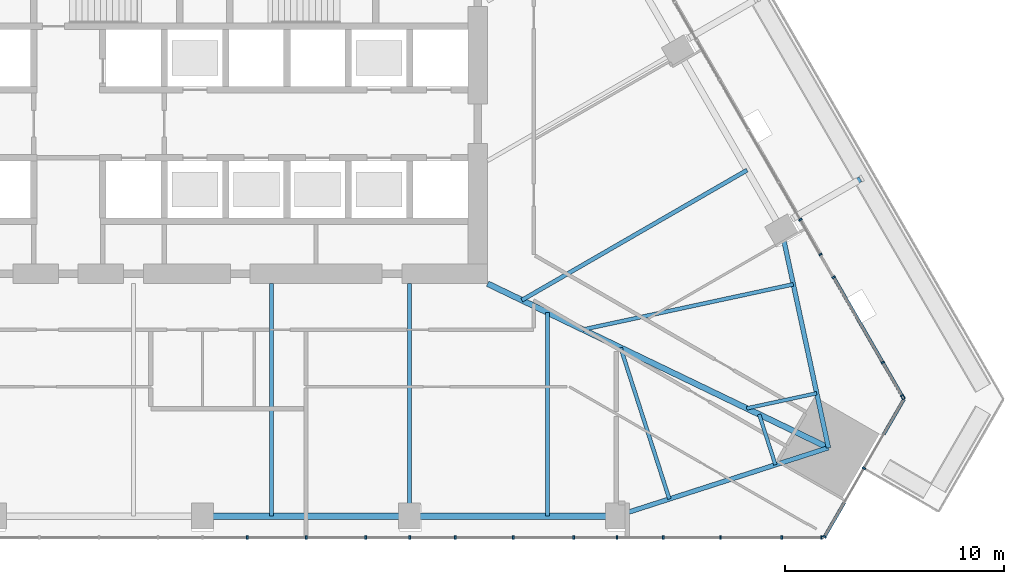
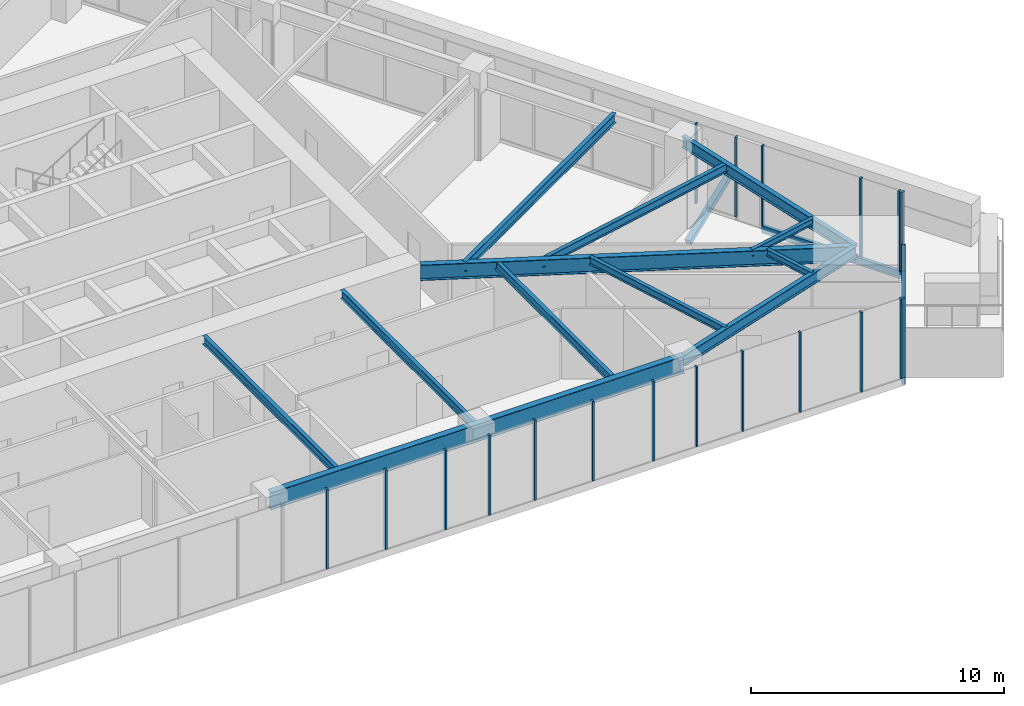
# One storey, part 6 of 29: 24 members, 12 beams, 3 elements without a shape of their own.
"""IFC4 building model written with IfcOpenShell, lengths in metres."""

from ifc_helpers import new_model, si_unit, direction, frame, origin, origin_2d, place, context, subcontext, project, spatial, rectangle, hollow_rectangle, i_section, extrude, material, layer, layer_set, material_profile, profile_set, type_object, element, aggregate, save


model = new_model("IFC4")

# Units and contexts
model_context = context("Model", 3, precision=1e-05, world=origin(), true_north=direction((0.0, 1.0)))
body_context = subcontext(model_context, "Body", "Model", "MODEL_VIEW")
ifc_project = project(units=[si_unit("LENGTHUNIT", "METRE"), si_unit("AREAUNIT", "SQUARE_METRE"), si_unit("VOLUMEUNIT", "CUBIC_METRE"), si_unit("PLANEANGLEUNIT", "RADIAN"), si_unit("MASSUNIT", "GRAM", prefix="KILO")], contexts=[model_context])

# Site, building, storey
site_placement = place(None, origin())
site = spatial("IfcSite", under=ifc_project, at=site_placement, CompositionType="ELEMENT")
building_placement = place(site_placement, origin())
building = spatial("IfcBuilding", under=site, at=building_placement, Name="Firuza Gate Tower and Library", CompositionType="ELEMENT")
storey_placement = place(building_placement, frame((0.0, 0.0, 82.0)))
storey = spatial("IfcBuildingStorey", under=building, at=storey_placement, Name="L18", CompositionType="ELEMENT", Elevation=82.0)

# Curtain wall, members
ifc_material_1 = material(Name="Aluminium 6063-T6", Category="aluminium")
ifc_layer_1 = layer(ifc_material_1, 0.14990234375)
ifc_layer_set_1 = layer_set([ifc_layer_1], Name="Unitised curtain wall, offices")
curtain_wall_type_1 = type_object("IfcCurtainWallType", Name="Unitised curtain wall, offices", PredefinedType="NOTDEFINED", material=ifc_layer_set_1)
placement = place(storey_placement, origin())
curtain_wall_1 = element("IfcCurtainWall", 1, at=placement, inside=storey, type_object=curtain_wall_type_1, Name="CW1 L18 S face", PredefinedType="NOTDEFINED")
ifc_material_2 = material(Name="Aluminium 6063-T6", Category="aluminium")
ifc_material_profile_1 = material_profile(ifc_material_2, rectangle(XDim=0.14990234375, YDim=0.080078125, at=origin_2d()))
ifc_profile_set_1 = profile_set([ifc_material_profile_1], Name="Aluminium 6063-T6")
member_type_1 = type_object("IfcMemberType", Name="Curtain wall mullion 80x150", PredefinedType="MULLION", material=ifc_profile_set_1)
member_1_placement = place(storey_placement, frame((79.725341796875, 54.42431640625, 0.14990234375), z_axis=(0.0, 0.0, 1.0), x_axis=(0.0, 1.0, 0.0)))
member_1 = element("IfcMember", 2, at=member_1_placement, type_object=member_type_1, Name="Mullion", PredefinedType="MULLION", context=body_context, shape_type="SweptSolid", body=[
    extrude(rectangle(XDim=0.14990234375, YDim=0.080078125, at=origin_2d()), origin(), (0.0, 0.0, 1.0), 3.85009765625),
])
member_2_placement = place(storey_placement, frame((84.45068359375, 54.42431640625, 0.14990234375), z_axis=(0.0, 0.0, 1.0), x_axis=(0.0, 1.0, 0.0)))
member_2 = element("IfcMember", 3, at=member_2_placement, type_object=member_type_1, Name="Mullion", PredefinedType="MULLION", context=body_context, shape_type="SweptSolid", body=[
    extrude(rectangle(XDim=0.14990234375, YDim=0.080078125, at=origin_2d()), origin(), (0.0, 0.0, 1.0), 3.85009765625),
])
member_3_placement = place(storey_placement, frame((89.17578125, 54.42431640625, 0.14990234375), z_axis=(0.0, 0.0, 1.0), x_axis=(0.0, 1.0, 0.0)))
member_3 = element("IfcMember", 4, at=member_3_placement, type_object=member_type_1, Name="Mullion", PredefinedType="MULLION", context=body_context, shape_type="SweptSolid", body=[
    extrude(rectangle(XDim=0.14990234375, YDim=0.080078125, at=origin_2d()), origin(), (0.0, 0.0, 1.0), 3.85009765625),
])
member_4_placement = place(storey_placement, frame((93.901123046875, 54.42431640625, 0.14990234375), z_axis=(0.0, 0.0, 1.0), x_axis=(0.0, 1.0, 0.0)))
member_4 = element("IfcMember", 5, at=member_4_placement, type_object=member_type_1, Name="Mullion", PredefinedType="MULLION", context=body_context, shape_type="SweptSolid", body=[
    extrude(rectangle(XDim=0.14990234375, YDim=0.080078125, at=origin_2d()), origin(), (0.0, 0.0, 1.0), 3.85009765625),
])
member_5_placement = place(storey_placement, frame((98.62646484375, 54.42431640625, 0.14990234375), z_axis=(0.0, 0.0, 1.0), x_axis=(0.0, 1.0, 0.0)))
member_5 = element("IfcMember", 6, at=member_5_placement, type_object=member_type_1, Name="Mullion", PredefinedType="MULLION", context=body_context, shape_type="SweptSolid", body=[
    extrude(rectangle(XDim=0.14990234375, YDim=0.080078125, at=origin_2d()), origin(), (0.0, 0.0, 1.0), 3.85009765625),
])
member_6_placement = place(storey_placement, frame((77.037353515625, 54.42431640625, 0.14990234375), z_axis=(0.0, 0.0, 1.0), x_axis=(0.0, 1.0, 0.0)))
member_6 = element("IfcMember", 7, at=member_6_placement, type_object=member_type_1, Name="Mullion", PredefinedType="MULLION", context=body_context, shape_type="SweptSolid", body=[
    extrude(rectangle(XDim=0.14990234375, YDim=0.080078125, at=origin_2d()), origin(), (0.0, 0.0, 1.0), 3.85009765625),
])
member_7_placement = place(storey_placement, frame((82.447998046875, 54.42431640625, 0.14990234375), z_axis=(0.0, 0.0, 1.0), x_axis=(0.0, 1.0, 0.0)))
member_7 = element("IfcMember", 8, at=member_7_placement, type_object=member_type_1, Name="Mullion", PredefinedType="MULLION", context=body_context, shape_type="SweptSolid", body=[
    extrude(rectangle(XDim=0.14990234375, YDim=0.080078125, at=origin_2d()), origin(), (0.0, 0.0, 1.0), 3.85009765625),
])
member_8_placement = place(storey_placement, frame((86.522705078125, 54.42431640625, 0.14990234375), z_axis=(0.0, 0.0, 1.0), x_axis=(0.0, 1.0, 0.0)))
member_8 = element("IfcMember", 9, at=member_8_placement, type_object=member_type_1, Name="Mullion", PredefinedType="MULLION", context=body_context, shape_type="SweptSolid", body=[
    extrude(rectangle(XDim=0.14990234375, YDim=0.080078125, at=origin_2d()), origin(), (0.0, 0.0, 1.0), 3.85009765625),
])
member_9_placement = place(storey_placement, frame((91.933349609375, 54.42431640625, 0.14990234375), z_axis=(0.0, 0.0, 1.0), x_axis=(0.0, 1.0, 0.0)))
member_9 = element("IfcMember", 10, at=member_9_placement, type_object=member_type_1, Name="Mullion", PredefinedType="MULLION", context=body_context, shape_type="SweptSolid", body=[
    extrude(rectangle(XDim=0.14990234375, YDim=0.080078125, at=origin_2d()), origin(), (0.0, 0.0, 1.0), 3.85009765625),
])
member_10_placement = place(storey_placement, frame((96.0078125, 54.42431640625, 0.14990234375), z_axis=(0.0, 0.0, 1.0), x_axis=(0.0, 1.0, 0.0)))
member_10 = element("IfcMember", 11, at=member_10_placement, type_object=member_type_1, Name="Mullion", PredefinedType="MULLION", context=body_context, shape_type="SweptSolid", body=[
    extrude(rectangle(XDim=0.14990234375, YDim=0.080078125, at=origin_2d()), origin(), (0.0, 0.0, 1.0), 3.85009765625),
])
member_11_placement = place(storey_placement, frame((101.418701171875, 54.42431640625, 0.14990234375), z_axis=(0.0, 0.0, 1.0), x_axis=(0.0, 1.0, 0.0)))
member_11 = element("IfcMember", 12, at=member_11_placement, type_object=member_type_1, Name="Mullion", PredefinedType="MULLION", context=body_context, shape_type="SweptSolid", body=[
    extrude(rectangle(XDim=0.14990234375, YDim=0.080078125, at=origin_2d()), origin(), (0.0, 0.0, 1.0), 3.85009765625),
])
member_12_placement = place(storey_placement, frame((103.233154296875, 54.42431640625, 0.14990234375), z_axis=(0.0, 0.0, 1.0), x_axis=(0.0, 1.0, 0.0)))
member_12 = element("IfcMember", 13, at=member_12_placement, type_object=member_type_1, Name="Mullion", PredefinedType="MULLION", context=body_context, shape_type="SweptSolid", body=[
    extrude(rectangle(XDim=0.14990234375, YDim=0.080078125, at=origin_2d()), origin(), (0.0, 0.0, 1.0), 3.85009765625),
])
aggregate(curtain_wall_1, [member_1, member_2, member_3, member_4, member_5, member_6, member_7, member_8, member_9, member_10, member_11, member_12])

ifc_material_3 = material(Name="Aluminium 6063-T6", Category="aluminium")
ifc_layer_2 = layer(ifc_material_3, 0.14990234375)
ifc_layer_set_2 = layer_set([ifc_layer_2], Name="Corner curtain wall, chamfers")
curtain_wall_type_2 = type_object("IfcCurtainWallType", Name="Corner curtain wall, chamfers", PredefinedType="NOTDEFINED", material=ifc_layer_set_2)
curtain_wall_2 = element("IfcCurtainWall", 14, at=placement, inside=storey, type_object=curtain_wall_type_2, Name="CW4 L18 SE corner", PredefinedType="NOTDEFINED")
member_13_placement = place(storey_placement, frame((103.371826171875, 54.458740234375, 0.14990234375), z_axis=(0.0, 0.0, 1.0), x_axis=(-0.866025403784, 0.5, 0.0)))
member_13 = element("IfcMember", 15, at=member_13_placement, type_object=member_type_1, Name="Mullion", PredefinedType="MULLION", context=body_context, shape_type="SweptSolid", body=[
    extrude(rectangle(XDim=0.14990234375, YDim=0.080078125, at=origin_2d()), origin(), (0.0, 0.0, 1.0), 3.85009765625),
])
member_14_placement = place(storey_placement, frame((105.17333984375, 57.579345703125, 0.14990234375), z_axis=(0.0, 0.0, 1.0), x_axis=(-0.866025403784, 0.5, 0.0)))
member_14 = element("IfcMember", 16, at=member_14_placement, type_object=member_type_1, Name="Mullion", PredefinedType="MULLION", context=body_context, shape_type="SweptSolid", body=[
    extrude(rectangle(XDim=0.14990234375, YDim=0.080078125, at=origin_2d()), origin(), (0.0, 0.0, 1.0), 3.85009765625),
])

curtain_wall_3 = element("IfcCurtainWall", 17, at=placement, inside=storey, type_object=curtain_wall_type_1, Name="CW1 L18 E face", PredefinedType="NOTDEFINED")
member_15_placement = place(storey_placement, frame((106.97509765625, 60.769287109375, 0.14990234375), z_axis=(0.0, 0.0, 1.0), x_axis=(-0.866025403784, -0.5, 0.0)))
member_15 = element("IfcMember", 18, at=member_15_placement, type_object=member_type_1, Name="Mullion", PredefinedType="MULLION", context=body_context, shape_type="SweptSolid", body=[
    extrude(rectangle(XDim=0.14990234375, YDim=0.080078125, at=origin_2d()), origin(), (0.0, 0.0, 1.0), 3.85009765625),
])
member_16_placement = place(storey_placement, frame((103.784912109375, 66.29443359375, 0.14990234375), z_axis=(0.0, 0.0, 1.0), x_axis=(-0.866025403784, -0.5, 0.0)))
member_16 = element("IfcMember", 19, at=member_16_placement, type_object=member_type_1, Name="Mullion", PredefinedType="MULLION", context=body_context, shape_type="SweptSolid", body=[
    extrude(rectangle(XDim=0.14990234375, YDim=0.080078125, at=origin_2d()), origin(), (0.0, 0.0, 1.0), 3.85009765625),
])
member_17_placement = place(storey_placement, frame((103.18505859375, 67.333740234375, 0.14990234375), z_axis=(0.0, 0.0, 1.0), x_axis=(-0.866025403784, -0.5, 0.0)))
member_17 = element("IfcMember", 20, at=member_17_placement, type_object=member_type_1, Name="Mullion", PredefinedType="MULLION", context=body_context, shape_type="SweptSolid", body=[
    extrude(rectangle(XDim=0.14990234375, YDim=0.080078125, at=origin_2d()), origin(), (0.0, 0.0, 1.0), 3.85009765625),
])
member_18_placement = place(storey_placement, frame((102.269775390625, 68.9189453125, 0.14990234375), z_axis=(0.0, 0.0, 1.0), x_axis=(-0.866025403784, -0.5, 0.0)))
member_18 = element("IfcMember", 21, at=member_18_placement, type_object=member_type_1, Name="Mullion", PredefinedType="MULLION", context=body_context, shape_type="SweptSolid", body=[
    extrude(rectangle(XDim=0.14990234375, YDim=0.080078125, at=origin_2d()), origin(), (0.0, 0.0, 1.0), 3.85009765625),
])
member_19_placement = place(storey_placement, frame((106.903076171875, 60.893798828125, 0.14990234375), z_axis=(0.0, 0.0, 1.0), x_axis=(-0.866025403784, -0.5, 0.0)))
member_19 = element("IfcMember", 22, at=member_19_placement, type_object=member_type_1, Name="Mullion", PredefinedType="MULLION", context=body_context, shape_type="SweptSolid", body=[
    extrude(rectangle(XDim=0.14990234375, YDim=0.080078125, at=origin_2d()), origin(), (0.0, 0.0, 1.0), 3.85009765625),
])
member_20_placement = place(storey_placement, frame((106.028564453125, 62.40869140625, 0.14990234375), z_axis=(0.0, 0.0, 1.0), x_axis=(-0.866025403784, -0.5, 0.0)))
member_20 = element("IfcMember", 23, at=member_20_placement, type_object=member_type_1, Name="Mullion", PredefinedType="MULLION", context=body_context, shape_type="SweptSolid", body=[
    extrude(rectangle(XDim=0.14990234375, YDim=0.080078125, at=origin_2d()), origin(), (0.0, 0.0, 1.0), 3.85009765625),
])

# Member
ifc_material_4 = material(Name="Aluminium 6063-T6", Category="aluminium")
ifc_material_profile_2 = material_profile(ifc_material_4, rectangle(XDim=0.14990234375, YDim=0.35009765625, at=origin_2d()))
ifc_profile_set_2 = profile_set([ifc_material_profile_2], Name="Aluminium 6063-T6")
member_type_2 = type_object("IfcMemberType", Name="Curtain wall transom 350x150", PredefinedType="USERDEFINED", material=ifc_profile_set_2)
member_21_placement = place(storey_placement, frame((103.351806640625, 54.42431640625, -0.02490234375), z_axis=(0.499971966783, 0.866041588165, 0.0), x_axis=(-0.866041588165, 0.499971966783, 0.0)))
member_21 = element("IfcMember", 24, at=member_21_placement, type_object=member_type_2, Name="Transom", ObjectType="TRANSOM", PredefinedType="USERDEFINED", context=body_context, shape_type="SweptSolid", body=[
    extrude(rectangle(XDim=0.14990234375, YDim=0.35009765625, at=origin_2d()), origin(), (0.0, 0.0, 1.0), 1.86328125),
])

member_22_placement = place(storey_placement, frame((106.063232421875, 59.12060546875, -0.02490234375), z_axis=(0.500013496215, 0.866017611601, 0.0), x_axis=(-0.866017611601, 0.500013496215, 0.0)))
member_22 = element("IfcMember", 25, at=member_22_placement, type_object=member_type_2, Name="Transom", ObjectType="TRANSOM", PredefinedType="USERDEFINED", context=body_context, shape_type="SweptSolid", body=[
    extrude(rectangle(XDim=0.14990234375, YDim=0.35009765625, at=origin_2d()), origin(), (0.0, 0.0, 1.0), 1.86376953125),
])

aggregate(curtain_wall_2, [member_13, member_14, member_21, member_22])

member_23_placement = place(storey_placement, frame((106.9951171875, 60.734619140625, -0.02490234375), z_axis=(-0.500028586798, 0.86600889856, 0.0), x_axis=(-0.86600889856, -0.500028586798, 0.0)))
member_23 = element("IfcMember", 26, at=member_23_placement, type_object=member_type_2, Name="Transom", ObjectType="TRANSOM", PredefinedType="USERDEFINED", context=body_context, shape_type="SweptSolid", body=[
    extrude(rectangle(XDim=0.14990234375, YDim=0.35009765625, at=origin_2d()), origin(), (0.0, 0.0, 1.0), 6.419921875),
])

aggregate(curtain_wall_3, [member_15, member_16, member_17, member_18, member_23, member_19, member_20])

ifc_material_5 = material(Name="Steel S355", Category="steel")
ifc_material_profile_3 = material_profile(ifc_material_5, hollow_rectangle(XDim=0.25390625, YDim=0.25390625, WallThickness=0.01171875, at=origin_2d()))
ifc_profile_set_3 = profile_set([ifc_material_profile_3], Name="Steel S355")
member_type_3 = type_object("IfcMemberType", Name="HSS254x254x13 Tray strut", PredefinedType="BRACE", material=ifc_profile_set_3)
member_24_placement = place(storey_placement, frame((101.933837890625, 68.9912109375, -1.669921875), z_axis=(0.807140949077, 0.466018027999, 0.362423351763), x_axis=(-0.500012057535, 0.866018442252, 0.0)))
element("IfcMember", 27, at=member_24_placement, inside=storey, type_object=member_type_3, Name="Tray strut L18 col:L17:E1", PredefinedType="BRACE", context=body_context, shape_type="SweptSolid", body=[
    extrude(hollow_rectangle(XDim=0.25390625, YDim=0.25390625, WallThickness=0.01171875, at=origin_2d()), origin(), (0.0, 0.0, 1.0), 3.862548828125),
])

# Beams
ifc_material_6 = material(Name="Steel S355", Category="steel")
ifc_material_profile_4 = material_profile(ifc_material_6, i_section(OverallWidth=0.1650390625, OverallDepth=0.31005859375, WebThickness=0.005859375, FlangeThickness=0.009765625, at=origin_2d()))
ifc_profile_set_4 = profile_set([ifc_material_profile_4], Name="Steel S355")
beam_type_1 = type_object("IfcBeamType", Name="W310x39 Floor beam", PredefinedType="JOIST", material=ifc_profile_set_4)
beam_1_placement = place(storey_placement, frame((101.13037109375, 57.737548828125, 3.844970703125), z_axis=(-0.306695801179, 0.951807588507, 0.0), x_axis=(-0.951807588507, -0.306695801179, 0.0)))
element("IfcBeam", 28, at=beam_1_placement, inside=storey, type_object=beam_type_1, Name="Floor beam L18 s31", PredefinedType="JOIST", context=body_context, shape_type="SweptSolid", body=[
    extrude(i_section(OverallWidth=0.1650390625, OverallDepth=0.31005859375, WebThickness=0.005859375, FlangeThickness=0.009765625, at=origin_2d()), origin(), (0.0, 0.0, 1.0), 2.416748046875),
])
beam_2_placement = place(storey_placement, frame((103.014892578125, 61.001708984375, 3.844970703125), z_axis=(-0.977627361997, -0.210344339297, 0.0), x_axis=(0.210344339297, -0.977627361997, 0.0)))
element("IfcBeam", 29, at=beam_2_placement, inside=storey, type_object=beam_type_1, Name="Floor beam L18 s40", PredefinedType="JOIST", context=body_context, shape_type="SweptSolid", body=[
    extrude(i_section(OverallWidth=0.1650390625, OverallDepth=0.31005859375, WebThickness=0.005859375, FlangeThickness=0.009765625, at=origin_2d()), origin(), (0.0, 0.0, 1.0), 3.27197265625),
])
ifc_material_7 = material(Name="Steel S355", Category="steel")
ifc_material_profile_5 = material_profile(ifc_material_7, i_section(OverallWidth=0.1708984375, OverallDepth=0.35498046875, WebThickness=0.007080078125, FlangeThickness=0.01171875, at=origin_2d()))
ifc_profile_set_5 = profile_set([ifc_material_profile_5], Name="Steel S355")
beam_type_2 = type_object("IfcBeamType", Name="W360x51 Floor beam", PredefinedType="JOIST", material=ifc_profile_set_5)
beam_3_placement = place(storey_placement, frame((96.29150390625, 56.1787109375, 3.822509765625), z_axis=(-0.306634787588, 0.951827246427, 0.0), x_axis=(-0.951827246427, -0.306634787588, 0.0)))
element("IfcBeam", 30, at=beam_3_placement, inside=storey, type_object=beam_type_2, Name="Floor beam L18 s30", PredefinedType="JOIST", context=body_context, shape_type="SweptSolid", body=[
    extrude(i_section(OverallWidth=0.1708984375, OverallDepth=0.35498046875, WebThickness=0.007080078125, FlangeThickness=0.01171875, at=origin_2d()), origin(), (0.0, 0.0, 1.0), 7.250244140625),
])
ifc_material_8 = material(Name="Steel S355", Category="steel")
ifc_material_profile_6 = material_profile(ifc_material_8, i_section(OverallWidth=0.177978515625, OverallDepth=0.406982421875, WebThickness=0.0078125, FlangeThickness=0.0126953125, at=origin_2d()))
ifc_profile_set_6 = profile_set([ifc_material_profile_6], Name="Steel S355")
beam_type_3 = type_object("IfcBeamType", Name="W410x60 Floor beam", PredefinedType="JOIST", material=ifc_profile_set_6)
for number, where, z_axis, x_axis, name in (
    (31, (78.145263671875, 55.399169921875, 3.79638671875), (0.0, 1.0, 0.0), (-1.0, 0.0, 0.0), "Floor beam L18 s23"),
    (32, (84.43603515625, 55.399169921875, 3.79638671875), (0.0, 1.0, 0.0), (-1.0, 0.0, 0.0), "Floor beam L18 s24"),
):
    element("IfcBeam", number, at=place(storey_placement, frame(where, z_axis=z_axis, x_axis=x_axis)), inside=storey, type_object=beam_type_3, Name=name, PredefinedType="JOIST", context=body_context, shape_type="SweptSolid", body=[
        extrude(i_section(OverallWidth=0.177978515625, OverallDepth=0.406982421875, WebThickness=0.0078125, FlangeThickness=0.0126953125, at=origin_2d()), origin(), (0.0, 0.0, 1.0), 10.600830078125),
    ])
beam_4_placement = place(storey_placement, frame((90.726806640625, 55.399169921875, 3.79638671875), z_axis=(0.0, 1.0, 0.0), x_axis=(-1.0, 0.0, 0.0)))
element("IfcBeam", 33, at=beam_4_placement, inside=storey, type_object=beam_type_3, Name="Floor beam L18 s25", PredefinedType="JOIST", context=body_context, shape_type="SweptSolid", body=[
    extrude(i_section(OverallWidth=0.177978515625, OverallDepth=0.406982421875, WebThickness=0.0078125, FlangeThickness=0.0126953125, at=origin_2d()), origin(), (0.0, 0.0, 1.0), 9.28857421875),
])
beam_5_placement = place(storey_placement, frame((101.945556640625, 65.9716796875, 3.79638671875), z_axis=(-0.977627361997, -0.210344339297, 0.0), x_axis=(0.210344339297, -0.977627361997, 0.0)))
element("IfcBeam", 34, at=beam_5_placement, inside=storey, type_object=beam_type_3, Name="Floor beam L18 s41", PredefinedType="JOIST", context=body_context, shape_type="SweptSolid", body=[
    extrude(i_section(OverallWidth=0.177978515625, OverallDepth=0.406982421875, WebThickness=0.0078125, FlangeThickness=0.0126953125, at=origin_2d()), origin(), (0.0, 0.0, 1.0), 9.81591796875),
])
ifc_material_9 = material(Name="Steel S355", Category="steel")
ifc_material_profile_7 = material_profile(ifc_material_9, i_section(OverallWidth=0.18994140625, OverallDepth=0.45703125, WebThickness=0.009033203125, FlangeThickness=0.014404296875, at=origin_2d()))
ifc_profile_set_7 = profile_set([ifc_material_profile_7], Name="Steel S355")
beam_type_4 = type_object("IfcBeamType", Name="W460x74 Floor beam", PredefinedType="JOIST", material=ifc_profile_set_7)
beam_6_placement = place(storey_placement, frame((99.838134765625, 71.180419921875, 3.771484375), z_axis=(-0.866030020257, -0.49999200395, 0.0), x_axis=(0.49999200395, -0.866030020257, 0.0)))
element("IfcBeam", 35, at=beam_6_placement, inside=storey, type_object=beam_type_4, Name="Floor beam L18 s50", PredefinedType="JOIST", context=body_context, shape_type="SweptSolid", body=[
    extrude(i_section(OverallWidth=0.18994140625, OverallDepth=0.45703125, WebThickness=0.009033203125, FlangeThickness=0.014404296875, at=origin_2d()), origin(), (0.0, 0.0, 1.0), 11.864990234375),
])
ifc_material_10 = material(Name="Steel S355", Category="steel")
ifc_material_profile_8 = material_profile(ifc_material_10, i_section(OverallWidth=0.212890625, OverallDepth=0.5390625, WebThickness=0.01171875, FlangeThickness=0.018798828125, at=origin_2d()))
ifc_profile_set_8 = profile_set([ifc_material_profile_8], Name="Steel S355")
beam_type_5 = type_object("IfcBeamType", Name="W530x109 Edge beam", PredefinedType="SPANDREL", material=ifc_profile_set_8)
beam_7_placement = place(storey_placement, frame((93.872314453125, 55.399169921875, 3.73046875), z_axis=(0.951823975447, 0.306644940876, 0.0), x_axis=(-0.306644940876, 0.951823975447, 0.0)))
element("IfcBeam", 36, at=beam_7_placement, inside=storey, type_object=beam_type_5, Name="Edge beam L18 e30", PredefinedType="SPANDREL", context=body_context, shape_type="SweptSolid", body=[
    extrude(i_section(OverallWidth=0.212890625, OverallDepth=0.5390625, WebThickness=0.01171875, FlangeThickness=0.018798828125, at=origin_2d()), origin(), (0.0, 0.0, 1.0), 10.1669921875),
])
beam_8_placement = place(storey_placement, frame((103.549560546875, 58.516845703125, 3.73046875), z_axis=(-0.210350597959, 0.977626015375, 0.0), x_axis=(-0.977626015375, -0.210350597959, 0.0)))
element("IfcBeam", 37, at=beam_8_placement, inside=storey, type_object=beam_type_5, Name="Edge beam L18 e40", PredefinedType="SPANDREL", context=body_context, shape_type="SweptSolid", body=[
    extrude(i_section(OverallWidth=0.212890625, OverallDepth=0.5390625, WebThickness=0.01171875, FlangeThickness=0.018798828125, at=origin_2d()), origin(), (0.0, 0.0, 1.0), 10.167236328125),
])
ifc_material_11 = material(Name="Steel S355", Category="steel")
ifc_material_profile_9 = material_profile(ifc_material_11, i_section(OverallWidth=0.264892578125, OverallDepth=0.7529296875, WebThickness=0.01318359375, FlangeThickness=0.01708984375, at=origin_2d()))
ifc_profile_set_9 = profile_set([ifc_material_profile_9], Name="Steel S355")
beam_type_6 = type_object("IfcBeamType", Name="W760x147 Girder", PredefinedType="BEAM", material=ifc_profile_set_9)
beam_9_placement = place(storey_placement, frame((103.549560546875, 58.516845703125, 3.62353515625), z_axis=(-0.901084806729, 0.433642907335, 0.0), x_axis=(-0.433642907335, -0.901084806729, 0.0)))
element("IfcBeam", 38, at=beam_9_placement, inside=storey, type_object=beam_type_6, Name="Girder L18 gSE", PredefinedType="BEAM", context=body_context, shape_type="SweptSolid", body=[
    extrude(i_section(OverallWidth=0.264892578125, OverallDepth=0.7529296875, WebThickness=0.01318359375, FlangeThickness=0.01708984375, at=origin_2d()), origin(), (0.0, 0.0, 1.0), 17.256591796875),
])
ifc_material_12 = material(Name="Steel S355", Category="steel")
ifc_material_profile_10 = material_profile(ifc_material_12, i_section(OverallWidth=0.2919921875, OverallDepth=0.8349609375, WebThickness=0.013916015625, FlangeThickness=0.018798828125, at=origin_2d()))
ifc_profile_set_10 = profile_set([ifc_material_profile_10], Name="Steel S355")
beam_type_7 = type_object("IfcBeamType", Name="W840x176 Edge beam", PredefinedType="SPANDREL", material=ifc_profile_set_10)
beam_10_placement = place(storey_placement, frame((75.0, 55.399169921875, 3.58251953125), z_axis=(1.0, 0.0, 0.0), x_axis=(0.0, 1.0, 0.0)))
element("IfcBeam", 39, at=beam_10_placement, inside=storey, type_object=beam_type_7, Name="Edge beam L18 e22", PredefinedType="SPANDREL", context=body_context, shape_type="SweptSolid", body=[
    extrude(i_section(OverallWidth=0.2919921875, OverallDepth=0.8349609375, WebThickness=0.013916015625, FlangeThickness=0.018798828125, at=origin_2d()), origin(), (0.0, 0.0, 1.0), 18.872314453125),
])

save(model, "model.ifc")
